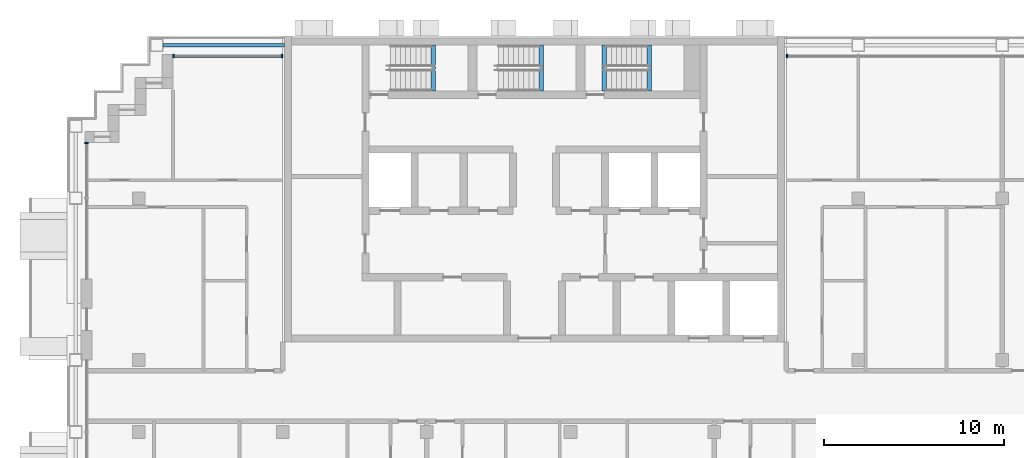
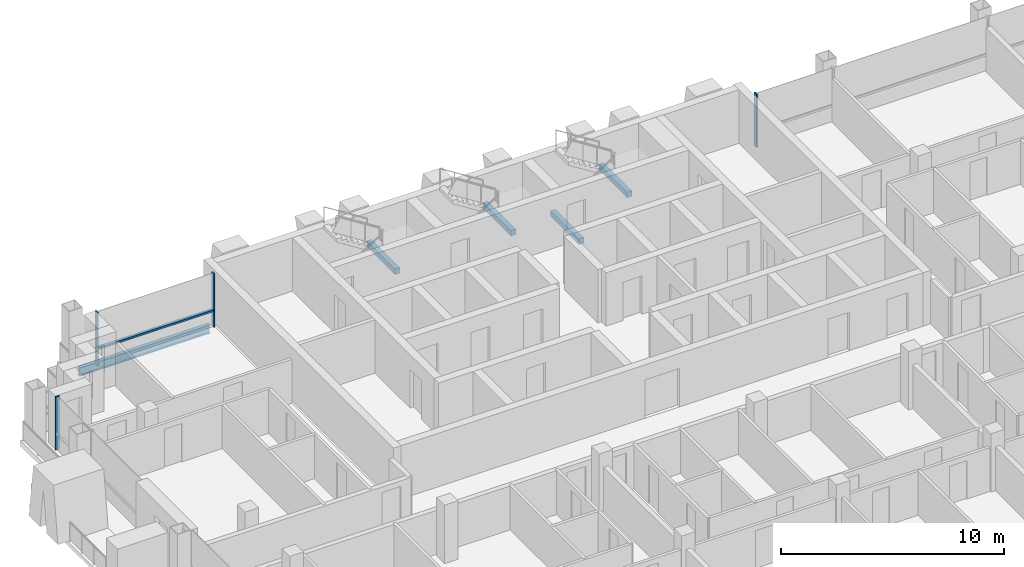
# One storey, part 4 of 16: 5 beams, 5 members, 3 elements without a shape of their own.
"""IFC4 building model written with IfcOpenShell, lengths in metres."""

from ifc_helpers import new_model, si_unit, direction, frame, origin, origin_2d, place, context, subcontext, project, spatial, rectangle, i_section, extrude, material, material_profile, profile_set, type_object, element, aggregate, save


model = new_model("IFC4")

# Units and contexts
model_context = context("Model", 3, precision=1e-05, world=origin(), true_north=direction((0.0, 1.0)))
body_context = subcontext(model_context, "Body", "Model", "MODEL_VIEW")
ifc_project = project(units=[si_unit("LENGTHUNIT", "METRE"), si_unit("AREAUNIT", "SQUARE_METRE"), si_unit("VOLUMEUNIT", "CUBIC_METRE"), si_unit("PLANEANGLEUNIT", "RADIAN"), si_unit("MASSUNIT", "GRAM", prefix="KILO")], contexts=[model_context])

# Site, building, storey
site_placement = place(None, origin())
site = spatial("IfcSite", under=ifc_project, at=site_placement, CompositionType="ELEMENT")
building_placement = place(site_placement, origin())
building = spatial("IfcBuilding", under=site, at=building_placement, Name="Vidyagriha Tower", CompositionType="ELEMENT")
storey_placement = place(building_placement, frame((0.0, 0.0, 171.699951171875)))
storey = spatial("IfcBuildingStorey", under=building, at=storey_placement, Name="L44", CompositionType="ELEMENT", Elevation=171.699951171875)

# Beam
ifc_material_1 = material(Name="Steel ASTM A992 Grade 50", Category="steel")
ifc_material_profile_1 = material_profile(ifc_material_1, i_section(OverallWidth=0.19189453125, OverallDepth=0.46240234375, WebThickness=0.010498046875, FlangeThickness=0.017578125, at=origin_2d()), Name="W18X60")
ifc_profile_set_1 = profile_set([ifc_material_profile_1], Name="Steel ASTM A992 Grade 50")
beam_type_1 = type_object("IfcBeamType", Name="Edge beam W18X60", PredefinedType="SPANDREL", material=ifc_profile_set_1)
beam_placement = place(storey_placement, frame((-20.64990234375, 19.5, -0.510986328125), z_axis=(1.0, 0.0, 0.0), x_axis=(0.0, 1.0, 0.0)))
element("IfcBeam", 1, at=beam_placement, inside=storey, type_object=beam_type_1, Name="st-beam-L44-NC20", PredefinedType="SPANDREL", context=body_context, shape_type="SweptSolid", body=[
    extrude(i_section(OverallWidth=0.19189453125, OverallDepth=0.46240234375, WebThickness=0.010498046875, FlangeThickness=0.017578125, at=origin_2d()), origin(), (0.0, 0.0, 1.0), 6.75),
])

# Curtain wall, member
ifc_material_2 = material(Name="Aluminium and glass curtain wall", Category="aluminium")
curtain_wall_type = type_object("IfcCurtainWallType", Name="Dwelling skin unitised curtain wall", PredefinedType="USERDEFINED", material=ifc_material_2)
curtain_wall_1_placement = place(storey_placement, origin())
curtain_wall_1 = element("IfcCurtainWall", 2, at=curtain_wall_1_placement, inside=storey, type_object=curtain_wall_type, Name="CW1 dwelling skin", ObjectType="UNITISED", PredefinedType="USERDEFINED")
ifc_material_3 = material(Name="Aluminium black anodised", Category="aluminium")
ifc_material_profile_2 = material_profile(ifc_material_3, rectangle(XDim=0.199951171875, YDim=0.070068359375, at=origin_2d()), Name="Mullion 70x200 black aluminium")
ifc_profile_set_2 = profile_set([ifc_material_profile_2], Name="Aluminium black anodised")
member_type_1 = type_object("IfcMemberType", Name="Mullion 70x200 black aluminium", PredefinedType="MULLION", material=ifc_profile_set_2)
member_1_placement = place(storey_placement, frame((14.034912109375, 18.89990234375, 0.0), z_axis=(0.0, 0.0, 1.0), x_axis=(0.0, -1.0, 0.0)))
member_1 = element("IfcMember", 3, at=member_1_placement, type_object=member_type_1, Name="CW1 mullion 4", PredefinedType="MULLION", context=body_context, shape_type="SweptSolid", body=[
    extrude(rectangle(XDim=0.199951171875, YDim=0.070068359375, at=origin_2d()), origin(), (0.0, 0.0, 1.0), 2.920166015625),
])
aggregate(curtain_wall_1, [member_1])

# Curtain wall, members
curtain_wall_2_placement = place(storey_placement, origin())
curtain_wall_2 = element("IfcCurtainWall", 4, at=curtain_wall_2_placement, inside=storey, type_object=curtain_wall_type, Name="CW1 dwelling skin", ObjectType="UNITISED", PredefinedType="USERDEFINED")
member_2_placement = place(storey_placement, frame((-14.034912109375, 18.89990234375, 0.0), z_axis=(0.0, 0.0, 1.0), x_axis=(0.0, -1.0, 0.0)))
member_2 = element("IfcMember", 5, at=member_2_placement, type_object=member_type_1, Name="CW1 mullion 1", PredefinedType="MULLION", context=body_context, shape_type="SweptSolid", body=[
    extrude(rectangle(XDim=0.199951171875, YDim=0.070068359375, at=origin_2d()), origin(), (0.0, 0.0, 1.0), 2.920166015625),
])
member_3_placement = place(storey_placement, frame((-20.06494140625, 18.89990234375, 0.0), z_axis=(0.0, 0.0, 1.0), x_axis=(0.0, -1.0, 0.0)))
member_3 = element("IfcMember", 6, at=member_3_placement, type_object=member_type_1, Name="CW1 mullion 2", PredefinedType="MULLION", context=body_context, shape_type="SweptSolid", body=[
    extrude(rectangle(XDim=0.199951171875, YDim=0.070068359375, at=origin_2d()), origin(), (0.0, 0.0, 1.0), 2.920166015625),
])

# Curtain wall, member
curtain_wall_3_placement = place(storey_placement, origin())
curtain_wall_3 = element("IfcCurtainWall", 7, at=curtain_wall_3_placement, inside=storey, type_object=curtain_wall_type, Name="CW1 dwelling skin", ObjectType="UNITISED", PredefinedType="USERDEFINED")
member_4_placement = place(storey_placement, frame((-24.89990234375, 14.06494140625, 0.0)))
member_4 = element("IfcMember", 8, at=member_4_placement, type_object=member_type_1, Name="CW1 mullion 1", PredefinedType="MULLION", context=body_context, shape_type="SweptSolid", body=[
    extrude(rectangle(XDim=0.199951171875, YDim=0.070068359375, at=origin_2d()), origin(), (0.0, 0.0, 1.0), 2.920166015625),
])
aggregate(curtain_wall_3, [member_4])

# Beams
ifc_material_4 = material(Name="Concrete C40/50", Category="concrete")
ifc_material_profile_3 = material_profile(ifc_material_4, rectangle(XDim=0.25, YDim=0.300048828125, at=origin_2d()), Name="Stair landing bearing beam 250x300")
ifc_profile_set_3 = profile_set([ifc_material_profile_3], Name="Concrete C40/50")
beam_type_2 = type_object("IfcBeamType", Name="Stair landing bearing beam 250x300", PredefinedType="BEAM", material=ifc_profile_set_3)
for number, where, z_axis, x_axis, name in (
    (9, (3.875, 16.949951171875, -0.429931640625), (0.0, 1.0, 0.0), (-1.0, 0.0, 0.0), "ST3 floor landing bearing beam L44"),
    (10, (-5.635009765625, 16.949951171875, 1.25), (0.0, 1.0, 0.0), (-1.0, 0.0, 0.0), "ST1 landing bearing beam L44"),
    (11, (0.364990234375, 16.949951171875, 1.25), (0.0, 1.0, 0.0), (-1.0, 0.0, 0.0), "ST2 landing bearing beam L44"),
    (12, (6.364990234375, 16.949951171875, 1.25), (0.0, 1.0, 0.0), (-1.0, 0.0, 0.0), "ST3 landing bearing beam L44"),
):
    element("IfcBeam", number, at=place(storey_placement, frame(where, z_axis=z_axis, x_axis=x_axis)), inside=storey, type_object=beam_type_2, Name=name, PredefinedType="BEAM", context=body_context, shape_type="SweptSolid", body=[
        extrude(rectangle(XDim=0.25, YDim=0.300048828125, at=origin_2d()), origin(), (0.0, 0.0, 1.0), 2.550048828125),
    ])

# Member
ifc_material_5 = material(Name="Aluminium black anodised", Category="aluminium")
ifc_material_profile_4 = material_profile(ifc_material_5, rectangle(XDim=0.159912109375, YDim=0.10009765625, at=origin_2d()), Name="Transom 100x160 black aluminium")
ifc_profile_set_4 = profile_set([ifc_material_profile_4], Name="Aluminium black anodised")
member_type_2 = type_object("IfcMemberType", Name="Transom 100x160 black aluminium", PredefinedType="USERDEFINED", material=ifc_profile_set_4)
member_5_placement = place(storey_placement, frame((-14.070068359375, 18.89990234375, 0.900146484375), z_axis=(-1.0, 0.0, 0.0), x_axis=(0.0, -1.0, 0.0)))
member_5 = element("IfcMember", 13, at=member_5_placement, type_object=member_type_2, Name="CW1 transom 1.1", ObjectType="TRANSOM", PredefinedType="USERDEFINED", context=body_context, shape_type="SweptSolid", body=[
    extrude(rectangle(XDim=0.159912109375, YDim=0.10009765625, at=origin_2d()), origin(), (0.0, 0.0, 1.0), 5.9599609375),
])

aggregate(curtain_wall_2, [member_2, member_3, member_5])

save(model, "model.ifc")
